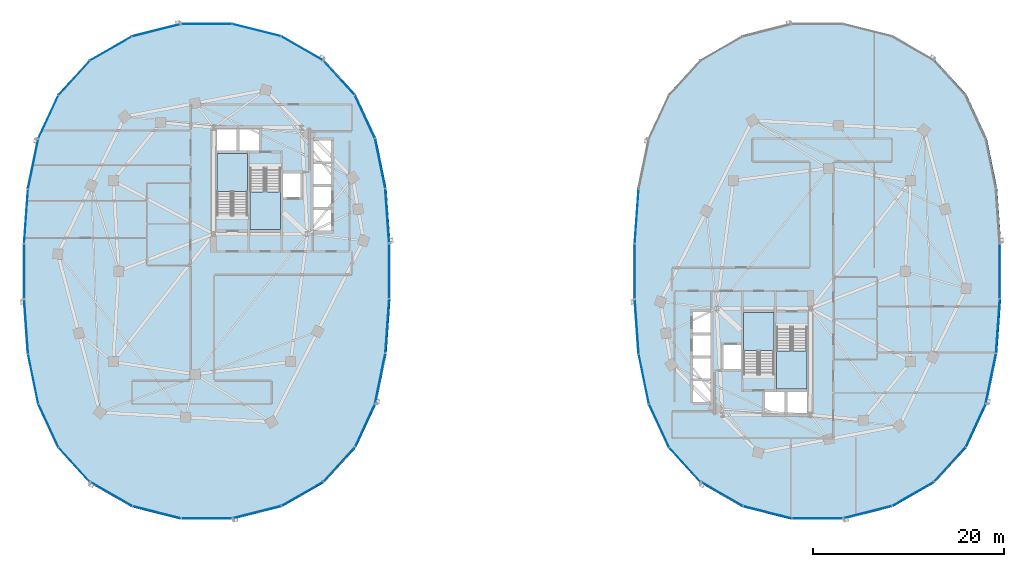
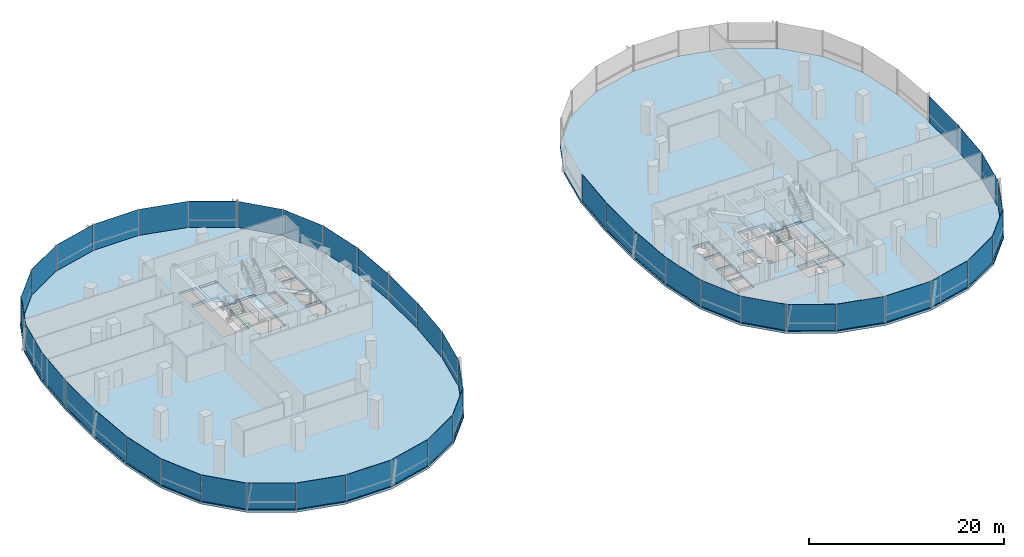
# One storey, part 9 of 21: 44 plates, 6 slabs, 11 elements without a shape of their own.
"""IFC4 building model written with IfcOpenShell, lengths in metres."""

from ifc_helpers import new_model, si_unit, direction, frame, origin, origin_2d, place, context, subcontext, project, spatial, polyline, rectangle, outline, extrude, material, layer, layer_set, type_object, element, aggregate, save


model = new_model("IFC4")

# Units and contexts
model_context = context("Model", 3, precision=1e-05, world=origin(), true_north=direction((0.0, 1.0)))
body_context = subcontext(model_context, "Body", "Model", "MODEL_VIEW")
ifc_project = project(units=[si_unit("LENGTHUNIT", "METRE"), si_unit("AREAUNIT", "SQUARE_METRE"), si_unit("VOLUMEUNIT", "CUBIC_METRE"), si_unit("PLANEANGLEUNIT", "RADIAN"), si_unit("MASSUNIT", "GRAM", prefix="KILO"), si_unit("THERMODYNAMICTEMPERATUREUNIT", "KELVIN"), si_unit("POWERUNIT", "WATT")], contexts=[model_context])

# Site, building, storey
site_placement = place(None, origin())
site = spatial("IfcSite", under=ifc_project, at=site_placement, CompositionType="ELEMENT")
building_placement = place(site_placement, origin())
building = spatial("IfcBuilding", under=site, at=building_placement, Name="Cundina Bronze Exchange", CompositionType="ELEMENT")
storey_placement = place(building_placement, frame((0.0, 0.0, 89.0)))
storey = spatial("IfcBuildingStorey", under=building, at=storey_placement, Name="L22", CompositionType="ELEMENT", Elevation=89.0)

# Curtain wall, plates
ifc_material_1 = material(Name="Anodised Bronze Aluminium 6063-T6", Category="aluminium")
curtain_wall_type = type_object("IfcCurtainWallType", Name="CWS-TRD-MID", PredefinedType="NOTDEFINED", material=ifc_material_1)
curtain_wall_1_placement = place(storey_placement, origin())
curtain_wall_1 = element("IfcCurtainWall", 1, at=curtain_wall_1_placement, inside=storey, type_object=curtain_wall_type, Name="L22 CW-03 Curtain Wall Run CWR-L22-W1", PredefinedType="NOTDEFINED")
ifc_material_2 = material(Name="Heat-Strengthened Solar-Control Bronze Safety Glass 28mm", Category="glass")
ifc_layer_1 = layer(ifc_material_2, 0.028076171875, Name="Heat-Strengthened Solar-Control Bronze Safety Glass 28mm", Category="glass")
ifc_layer_set_1 = layer_set([ifc_layer_1], Name="Heat-Strengthened Solar-Control Bronze Safety Glass 28mm")
plate_type_1 = type_object("IfcPlateType", Name="PLT-GLZ-VIS28", PredefinedType="CURTAIN_PANEL", material=ifc_layer_set_1)
plate_1_placement = place(storey_placement, frame((-13.0732421875, 5.783935546875, 0.02001953125), z_axis=(0.0, 0.0, 1.0), x_axis=(-0.070278787473, 0.997527389113, 0.0)))
plate_1 = element("IfcPlate", 2, at=plate_1_placement, type_object=plate_type_1, Name="CW-03 Glazed Panel 1", PredefinedType="CURTAIN_PANEL", context=body_context, shape_type="SweptSolid", body=[
    extrude(rectangle(XDim=5.644287109375, YDim=0.028076171875, at=origin_2d()), origin(), (0.0, 0.0, 1.0), 3.260009765625),
])
plate_2_placement = place(storey_placement, frame((-13.81591796875, 11.269775390625, 0.02001953125), z_axis=(0.0, 0.0, 1.0), x_axis=(-0.201419845156, 0.979505000486, 0.0)))
plate_2 = element("IfcPlate", 3, at=plate_2_placement, type_object=plate_type_1, Name="CW-03 Glazed Panel 2", PredefinedType="CURTAIN_PANEL", context=body_context, shape_type="SweptSolid", body=[
    extrude(rectangle(XDim=5.306640625, YDim=0.028076171875, at=origin_2d()), origin(), (0.0, 0.0, 1.0), 3.260009765625),
])
plate_3_placement = place(storey_placement, frame((-18.1259765625, 20.267333984375, 0.02001953125), z_axis=(0.0, 0.0, 1.0), x_axis=(-0.674276610219, 0.73847887777, 0.0)))
plate_3 = element("IfcPlate", 4, at=plate_3_placement, type_object=plate_type_1, Name="CW-03 Glazed Panel 4", PredefinedType="CURTAIN_PANEL", context=body_context, shape_type="SweptSolid", body=[
    extrude(rectangle(XDim=4.86328125, YDim=0.028076171875, at=origin_2d()), origin(), (0.0, 0.0, 1.0), 3.260009765625),
])
plate_4_placement = place(storey_placement, frame((-21.980712890625, 23.34423828125, 0.02001953125), z_axis=(0.0, 0.0, 1.0), x_axis=(-0.867105478933, 0.498124571171, 0.0)))
plate_4 = element("IfcPlate", 5, at=plate_4_placement, type_object=plate_type_1, Name="CW-03 Glazed Panel 5", PredefinedType="CURTAIN_PANEL", context=body_context, shape_type="SweptSolid", body=[
    extrude(rectangle(XDim=5.021240234375, YDim=0.028076171875, at=origin_2d()), origin(), (0.0, 0.0, 1.0), 3.260009765625),
])
plate_5_placement = place(storey_placement, frame((-26.744384765625, 25.256591796875, 0.02001953125), z_axis=(0.0, 0.0, 1.0), x_axis=(-0.969488149345, 0.245138182011, 0.0)))
plate_5 = element("IfcPlate", 6, at=plate_5_placement, type_object=plate_type_1, Name="CW-03 Glazed Panel 6", PredefinedType="CURTAIN_PANEL", context=body_context, shape_type="SweptSolid", body=[
    extrude(rectangle(XDim=5.2333984375, YDim=0.028076171875, at=origin_2d()), origin(), (0.0, 0.0, 1.0), 3.260009765625),
])
plate_6_placement = place(storey_placement, frame((-32.0, 25.905029296875, 0.02001953125), z_axis=(0.0, 0.0, 1.0), x_axis=(-1.0, 0.0, 0.0)))
plate_6 = element("IfcPlate", 7, at=plate_6_placement, type_object=plate_type_1, Name="CW-03 Glazed Panel 7", PredefinedType="CURTAIN_PANEL", context=body_context, shape_type="SweptSolid", body=[
    extrude(rectangle(XDim=5.323974609375, YDim=0.028076171875, at=origin_2d()), origin(), (0.0, 0.0, 1.0), 3.260009765625),
])

curtain_wall_2_placement = place(storey_placement, origin())
curtain_wall_2 = element("IfcCurtainWall", 8, at=curtain_wall_2_placement, inside=storey, type_object=curtain_wall_type, Name="L22 CW-03 Curtain Wall Run CWR-L22-W2", PredefinedType="NOTDEFINED")
plate_7_placement = place(storey_placement, frame((-37.255615234375, 25.256591796875, 0.02001953125), z_axis=(0.0, 0.0, 1.0), x_axis=(-0.969488149345, -0.245138182011, 0.0)))
plate_7 = element("IfcPlate", 9, at=plate_7_placement, type_object=plate_type_1, Name="CW-03 Glazed Panel 1", PredefinedType="CURTAIN_PANEL", context=body_context, shape_type="SweptSolid", body=[
    extrude(rectangle(XDim=5.2333984375, YDim=0.028076171875, at=origin_2d()), origin(), (0.0, 0.0, 1.0), 3.260009765625),
])
plate_8_placement = place(storey_placement, frame((-45.8740234375, 20.267333984375, 0.02001953125), z_axis=(0.0, 0.0, 1.0), x_axis=(-0.674276610219, -0.73847887777, 0.0)))
plate_8 = element("IfcPlate", 10, at=plate_8_placement, type_object=plate_type_1, Name="CW-03 Glazed Panel 3", PredefinedType="CURTAIN_PANEL", context=body_context, shape_type="SweptSolid", body=[
    extrude(rectangle(XDim=4.86328125, YDim=0.028076171875, at=origin_2d()), origin(), (0.0, 0.0, 1.0), 3.260009765625),
])
plate_9_placement = place(storey_placement, frame((-48.586181640625, 16.177734375, 0.02001953125), z_axis=(0.0, 0.0, 1.0), x_axis=(-0.42084583328, -0.907132175932, 0.0)))
plate_9 = element("IfcPlate", 11, at=plate_9_placement, type_object=plate_type_1, Name="CW-03 Glazed Panel 4", PredefinedType="CURTAIN_PANEL", context=body_context, shape_type="SweptSolid", body=[
    extrude(rectangle(XDim=4.966552734375, YDim=0.028076171875, at=origin_2d()), origin(), (0.0, 0.0, 1.0), 3.260009765625),
])
plate_10_placement = place(storey_placement, frame((-50.18408203125, 11.269775390625, 0.02001953125), z_axis=(0.0, 0.0, 1.0), x_axis=(-0.201419845156, -0.979505000486, 0.0)))
plate_10 = element("IfcPlate", 12, at=plate_10_placement, type_object=plate_type_1, Name="CW-03 Glazed Panel 5", PredefinedType="CURTAIN_PANEL", context=body_context, shape_type="SweptSolid", body=[
    extrude(rectangle(XDim=5.306640625, YDim=0.028076171875, at=origin_2d()), origin(), (0.0, 0.0, 1.0), 3.260009765625),
])
plate_11_placement = place(storey_placement, frame((-50.9267578125, 5.783935546875, 0.02001953125), z_axis=(0.0, 0.0, 1.0), x_axis=(-0.070278787473, -0.997527389113, 0.0)))
plate_11 = element("IfcPlate", 13, at=plate_11_placement, type_object=plate_type_1, Name="CW-03 Glazed Panel 6", PredefinedType="CURTAIN_PANEL", context=body_context, shape_type="SweptSolid", body=[
    extrude(rectangle(XDim=5.644287109375, YDim=0.028076171875, at=origin_2d()), origin(), (0.0, 0.0, 1.0), 3.260009765625),
])

curtain_wall_3_placement = place(storey_placement, origin())
curtain_wall_3 = element("IfcCurtainWall", 14, at=curtain_wall_3_placement, inside=storey, type_object=curtain_wall_type, Name="L22 CW-03 Curtain Wall Run CWR-L22-W3", PredefinedType="NOTDEFINED")
plate_12_placement = place(storey_placement, frame((-50.18408203125, -11.269775390625, 0.02001953125), z_axis=(0.0, 0.0, 1.0), x_axis=(0.201419845156, -0.979505000486, 0.0)))
plate_12 = element("IfcPlate", 15, at=plate_12_placement, type_object=plate_type_1, Name="CW-03 Glazed Panel 2", PredefinedType="CURTAIN_PANEL", context=body_context, shape_type="SweptSolid", body=[
    extrude(rectangle(XDim=5.306640625, YDim=0.028076171875, at=origin_2d()), origin(), (0.0, 0.0, 1.0), 3.260009765625),
])
plate_13_placement = place(storey_placement, frame((-48.586181640625, -16.177734375, 0.02001953125), z_axis=(0.0, 0.0, 1.0), x_axis=(0.42084583328, -0.907132175932, 0.0)))
plate_13 = element("IfcPlate", 16, at=plate_13_placement, type_object=plate_type_1, Name="CW-03 Glazed Panel 3", PredefinedType="CURTAIN_PANEL", context=body_context, shape_type="SweptSolid", body=[
    extrude(rectangle(XDim=4.966552734375, YDim=0.028076171875, at=origin_2d()), origin(), (0.0, 0.0, 1.0), 3.260009765625),
])
plate_14_placement = place(storey_placement, frame((-45.8740234375, -20.267333984375, 0.02001953125), z_axis=(0.0, 0.0, 1.0), x_axis=(0.674276610219, -0.73847887777, 0.0)))
plate_14 = element("IfcPlate", 17, at=plate_14_placement, type_object=plate_type_1, Name="CW-03 Glazed Panel 4", PredefinedType="CURTAIN_PANEL", context=body_context, shape_type="SweptSolid", body=[
    extrude(rectangle(XDim=4.86328125, YDim=0.028076171875, at=origin_2d()), origin(), (0.0, 0.0, 1.0), 3.260009765625),
])
plate_15_placement = place(storey_placement, frame((-42.019287109375, -23.34423828125, 0.02001953125), z_axis=(0.0, 0.0, 1.0), x_axis=(0.867105478933, -0.498124571171, 0.0)))
plate_15 = element("IfcPlate", 18, at=plate_15_placement, type_object=plate_type_1, Name="CW-03 Glazed Panel 5", PredefinedType="CURTAIN_PANEL", context=body_context, shape_type="SweptSolid", body=[
    extrude(rectangle(XDim=5.021240234375, YDim=0.028076171875, at=origin_2d()), origin(), (0.0, 0.0, 1.0), 3.260009765625),
])
plate_16_placement = place(storey_placement, frame((-32.0, -25.905029296875, 0.02001953125), z_axis=(0.0, 0.0, 1.0), x_axis=(1.0, 0.0, 0.0)))
plate_16 = element("IfcPlate", 19, at=plate_16_placement, type_object=plate_type_1, Name="CW-03 Glazed Panel 7", PredefinedType="CURTAIN_PANEL", context=body_context, shape_type="SweptSolid", body=[
    extrude(rectangle(XDim=5.323974609375, YDim=0.028076171875, at=origin_2d()), origin(), (0.0, 0.0, 1.0), 3.260009765625),
])

curtain_wall_4_placement = place(storey_placement, origin())
curtain_wall_4 = element("IfcCurtainWall", 20, at=curtain_wall_4_placement, inside=storey, type_object=curtain_wall_type, Name="L22 CW-03 Curtain Wall Run CWR-L22-W4", PredefinedType="NOTDEFINED")
plate_17_placement = place(storey_placement, frame((-26.744384765625, -25.256591796875, 0.02001953125), z_axis=(0.0, 0.0, 1.0), x_axis=(0.969488149345, 0.245138182011, 0.0)))
plate_17 = element("IfcPlate", 21, at=plate_17_placement, type_object=plate_type_1, Name="CW-03 Glazed Panel 1", PredefinedType="CURTAIN_PANEL", context=body_context, shape_type="SweptSolid", body=[
    extrude(rectangle(XDim=5.2333984375, YDim=0.028076171875, at=origin_2d()), origin(), (0.0, 0.0, 1.0), 3.260009765625),
])
plate_18_placement = place(storey_placement, frame((-21.980712890625, -23.34423828125, 0.02001953125), z_axis=(0.0, 0.0, 1.0), x_axis=(0.867105478933, 0.498124571171, 0.0)))
plate_18 = element("IfcPlate", 22, at=plate_18_placement, type_object=plate_type_1, Name="CW-03 Glazed Panel 2", PredefinedType="CURTAIN_PANEL", context=body_context, shape_type="SweptSolid", body=[
    extrude(rectangle(XDim=5.021240234375, YDim=0.028076171875, at=origin_2d()), origin(), (0.0, 0.0, 1.0), 3.260009765625),
])
plate_19_placement = place(storey_placement, frame((-18.1259765625, -20.267333984375, 0.02001953125), z_axis=(0.0, 0.0, 1.0), x_axis=(0.674276610219, 0.73847887777, 0.0)))
plate_19 = element("IfcPlate", 23, at=plate_19_placement, type_object=plate_type_1, Name="CW-03 Glazed Panel 3", PredefinedType="CURTAIN_PANEL", context=body_context, shape_type="SweptSolid", body=[
    extrude(rectangle(XDim=4.86328125, YDim=0.028076171875, at=origin_2d()), origin(), (0.0, 0.0, 1.0), 3.260009765625),
])
plate_20_placement = place(storey_placement, frame((-15.413818359375, -16.177734375, 0.02001953125), z_axis=(0.0, 0.0, 1.0), x_axis=(0.42084583328, 0.907132175932, 0.0)))
plate_20 = element("IfcPlate", 24, at=plate_20_placement, type_object=plate_type_1, Name="CW-03 Glazed Panel 4", PredefinedType="CURTAIN_PANEL", context=body_context, shape_type="SweptSolid", body=[
    extrude(rectangle(XDim=4.966552734375, YDim=0.028076171875, at=origin_2d()), origin(), (0.0, 0.0, 1.0), 3.260009765625),
])
plate_21_placement = place(storey_placement, frame((-13.0732421875, -5.783935546875, 0.02001953125), z_axis=(0.0, 0.0, 1.0), x_axis=(0.070278787473, 0.997527389113, 0.0)))
plate_21 = element("IfcPlate", 25, at=plate_21_placement, type_object=plate_type_1, Name="CW-03 Glazed Panel 6", PredefinedType="CURTAIN_PANEL", context=body_context, shape_type="SweptSolid", body=[
    extrude(rectangle(XDim=5.644287109375, YDim=0.028076171875, at=origin_2d()), origin(), (0.0, 0.0, 1.0), 3.260009765625),
])
plate_22_placement = place(storey_placement, frame((-12.8720703125, 0.0, 0.02001953125), z_axis=(0.0, 0.0, 1.0), x_axis=(0.0, 1.0, 0.0)))
plate_22 = element("IfcPlate", 26, at=plate_22_placement, type_object=plate_type_1, Name="CW-03 Glazed Panel 7", PredefinedType="CURTAIN_PANEL", context=body_context, shape_type="SweptSolid", body=[
    extrude(rectangle(XDim=5.77587890625, YDim=0.028076171875, at=origin_2d()), origin(), (0.0, 0.0, 1.0), 3.260009765625),
])

# Curtain wall, plate
curtain_wall_5_placement = place(storey_placement, origin())
curtain_wall_5 = element("IfcCurtainWall", 27, at=curtain_wall_5_placement, inside=storey, type_object=curtain_wall_type, Name="L22 CW-03 Curtain Wall Run CWR-L22-E2", PredefinedType="NOTDEFINED")
plate_23_placement = place(storey_placement, frame((13.0732421875, 5.783935546875, 0.02001953125), z_axis=(0.0, 0.0, 1.0), x_axis=(-0.070278787473, -0.997527389113, 0.0)))
plate_23 = element("IfcPlate", 28, at=plate_23_placement, type_object=plate_type_1, Name="CW-03 Glazed Panel 6", PredefinedType="CURTAIN_PANEL", context=body_context, shape_type="SweptSolid", body=[
    extrude(rectangle(XDim=5.644287109375, YDim=0.028076171875, at=origin_2d()), origin(), (0.0, 0.0, 1.0), 3.260009765625),
])

# Curtain wall, plates
curtain_wall_6_placement = place(storey_placement, origin())
curtain_wall_6 = element("IfcCurtainWall", 29, at=curtain_wall_6_placement, inside=storey, type_object=curtain_wall_type, Name="L22 CW-03 Curtain Wall Run CWR-L22-E3", PredefinedType="NOTDEFINED")
plate_24_placement = place(storey_placement, frame((13.81591796875, -11.269775390625, 0.02001953125), z_axis=(0.0, 0.0, 1.0), x_axis=(0.201419845156, -0.979505000486, 0.0)))
plate_24 = element("IfcPlate", 30, at=plate_24_placement, type_object=plate_type_1, Name="CW-03 Glazed Panel 2", PredefinedType="CURTAIN_PANEL", context=body_context, shape_type="SweptSolid", body=[
    extrude(rectangle(XDim=5.306640625, YDim=0.028076171875, at=origin_2d()), origin(), (0.0, 0.0, 1.0), 3.260009765625),
])
plate_25_placement = place(storey_placement, frame((15.413818359375, -16.177734375, 0.02001953125), z_axis=(0.0, 0.0, 1.0), x_axis=(0.42084583328, -0.907132175932, 0.0)))
plate_25 = element("IfcPlate", 31, at=plate_25_placement, type_object=plate_type_1, Name="CW-03 Glazed Panel 3", PredefinedType="CURTAIN_PANEL", context=body_context, shape_type="SweptSolid", body=[
    extrude(rectangle(XDim=4.966552734375, YDim=0.028076171875, at=origin_2d()), origin(), (0.0, 0.0, 1.0), 3.260009765625),
])
plate_26_placement = place(storey_placement, frame((18.1259765625, -20.267333984375, 0.02001953125), z_axis=(0.0, 0.0, 1.0), x_axis=(0.674276610219, -0.73847887777, 0.0)))
plate_26 = element("IfcPlate", 32, at=plate_26_placement, type_object=plate_type_1, Name="CW-03 Glazed Panel 4", PredefinedType="CURTAIN_PANEL", context=body_context, shape_type="SweptSolid", body=[
    extrude(rectangle(XDim=4.86328125, YDim=0.028076171875, at=origin_2d()), origin(), (0.0, 0.0, 1.0), 3.260009765625),
])
plate_27_placement = place(storey_placement, frame((21.980712890625, -23.34423828125, 0.02001953125), z_axis=(0.0, 0.0, 1.0), x_axis=(0.867105478933, -0.498124571171, 0.0)))
plate_27 = element("IfcPlate", 33, at=plate_27_placement, type_object=plate_type_1, Name="CW-03 Glazed Panel 5", PredefinedType="CURTAIN_PANEL", context=body_context, shape_type="SweptSolid", body=[
    extrude(rectangle(XDim=5.021240234375, YDim=0.028076171875, at=origin_2d()), origin(), (0.0, 0.0, 1.0), 3.260009765625),
])
plate_28_placement = place(storey_placement, frame((32.0, -25.905029296875, 0.02001953125), z_axis=(0.0, 0.0, 1.0), x_axis=(1.0, 0.0, 0.0)))
plate_28 = element("IfcPlate", 34, at=plate_28_placement, type_object=plate_type_1, Name="CW-03 Glazed Panel 7", PredefinedType="CURTAIN_PANEL", context=body_context, shape_type="SweptSolid", body=[
    extrude(rectangle(XDim=5.323974609375, YDim=0.028076171875, at=origin_2d()), origin(), (0.0, 0.0, 1.0), 3.260009765625),
])

curtain_wall_7_placement = place(storey_placement, origin())
curtain_wall_7 = element("IfcCurtainWall", 35, at=curtain_wall_7_placement, inside=storey, type_object=curtain_wall_type, Name="L22 CW-03 Curtain Wall Run CWR-L22-E4", PredefinedType="NOTDEFINED")
plate_29_placement = place(storey_placement, frame((37.255615234375, -25.256591796875, 0.02001953125), z_axis=(0.0, 0.0, 1.0), x_axis=(0.969488149345, 0.245138182011, 0.0)))
plate_29 = element("IfcPlate", 36, at=plate_29_placement, type_object=plate_type_1, Name="CW-03 Glazed Panel 1", PredefinedType="CURTAIN_PANEL", context=body_context, shape_type="SweptSolid", body=[
    extrude(rectangle(XDim=5.2333984375, YDim=0.028076171875, at=origin_2d()), origin(), (0.0, 0.0, 1.0), 3.260009765625),
])
plate_30_placement = place(storey_placement, frame((42.019287109375, -23.34423828125, 0.02001953125), z_axis=(0.0, 0.0, 1.0), x_axis=(0.867105478933, 0.498124571171, 0.0)))
plate_30 = element("IfcPlate", 37, at=plate_30_placement, type_object=plate_type_1, Name="CW-03 Glazed Panel 2", PredefinedType="CURTAIN_PANEL", context=body_context, shape_type="SweptSolid", body=[
    extrude(rectangle(XDim=5.021240234375, YDim=0.028076171875, at=origin_2d()), origin(), (0.0, 0.0, 1.0), 3.260009765625),
])
plate_31_placement = place(storey_placement, frame((45.8740234375, -20.267333984375, 0.02001953125), z_axis=(0.0, 0.0, 1.0), x_axis=(0.674276610219, 0.73847887777, 0.0)))
plate_31 = element("IfcPlate", 38, at=plate_31_placement, type_object=plate_type_1, Name="CW-03 Glazed Panel 3", PredefinedType="CURTAIN_PANEL", context=body_context, shape_type="SweptSolid", body=[
    extrude(rectangle(XDim=4.86328125, YDim=0.028076171875, at=origin_2d()), origin(), (0.0, 0.0, 1.0), 3.260009765625),
])
plate_32_placement = place(storey_placement, frame((48.586181640625, -16.177734375, 0.02001953125), z_axis=(0.0, 0.0, 1.0), x_axis=(0.42084583328, 0.907132175932, 0.0)))
plate_32 = element("IfcPlate", 39, at=plate_32_placement, type_object=plate_type_1, Name="CW-03 Glazed Panel 4", PredefinedType="CURTAIN_PANEL", context=body_context, shape_type="SweptSolid", body=[
    extrude(rectangle(XDim=4.966552734375, YDim=0.028076171875, at=origin_2d()), origin(), (0.0, 0.0, 1.0), 3.260009765625),
])
plate_33_placement = place(storey_placement, frame((50.9267578125, -5.783935546875, 0.02001953125), z_axis=(0.0, 0.0, 1.0), x_axis=(0.070278787473, 0.997527389113, 0.0)))
plate_33 = element("IfcPlate", 40, at=plate_33_placement, type_object=plate_type_1, Name="CW-03 Glazed Panel 6", PredefinedType="CURTAIN_PANEL", context=body_context, shape_type="SweptSolid", body=[
    extrude(rectangle(XDim=5.644287109375, YDim=0.028076171875, at=origin_2d()), origin(), (0.0, 0.0, 1.0), 3.260009765625),
])
plate_34_placement = place(storey_placement, frame((51.1279296875, 0.0, 0.02001953125), z_axis=(0.0, 0.0, 1.0), x_axis=(0.0, 1.0, 0.0)))
plate_34 = element("IfcPlate", 41, at=plate_34_placement, type_object=plate_type_1, Name="CW-03 Glazed Panel 7", PredefinedType="CURTAIN_PANEL", context=body_context, shape_type="SweptSolid", body=[
    extrude(rectangle(XDim=5.77587890625, YDim=0.028076171875, at=origin_2d()), origin(), (0.0, 0.0, 1.0), 3.260009765625),
])

# Plate
ifc_material_3 = material(Name="Dark Bronze Spandrel Glass Panel 32mm", Category="glass")
ifc_layer_2 = layer(ifc_material_3, 0.031982421875, Name="Dark Bronze Spandrel Glass Panel 32mm", Category="glass")
ifc_layer_set_2 = layer_set([ifc_layer_2], Name="Dark Bronze Spandrel Glass Panel 32mm")
plate_type_2 = type_object("IfcPlateType", Name="PLT-SPN-BRZ32", PredefinedType="CURTAIN_PANEL", material=ifc_layer_set_2)
plate_35_placement = place(storey_placement, frame((-15.413818359375, 16.177734375, 0.02001953125), z_axis=(0.0, 0.0, 1.0), x_axis=(-0.42084583328, 0.907132175932, 0.0)))
plate_35 = element("IfcPlate", 42, at=plate_35_placement, type_object=plate_type_2, Name="CW-03 Glazed Panel 3", PredefinedType="CURTAIN_PANEL", context=body_context, shape_type="SweptSolid", body=[
    extrude(rectangle(XDim=4.966552734375, YDim=0.031982421875, at=origin_2d()), origin(), (0.0, 0.0, 1.0), 3.260009765625),
])

aggregate(curtain_wall_1, [plate_1, plate_2, plate_35, plate_3, plate_4, plate_5, plate_6])

plate_36_placement = place(storey_placement, frame((-42.019287109375, 23.34423828125, 0.02001953125), z_axis=(0.0, 0.0, 1.0), x_axis=(-0.867105478933, -0.498124571171, 0.0)))
plate_36 = element("IfcPlate", 43, at=plate_36_placement, type_object=plate_type_2, Name="CW-03 Glazed Panel 2", PredefinedType="CURTAIN_PANEL", context=body_context, shape_type="SweptSolid", body=[
    extrude(rectangle(XDim=5.021240234375, YDim=0.031982421875, at=origin_2d()), origin(), (0.0, 0.0, 1.0), 3.260009765625),
])

plate_37_placement = place(storey_placement, frame((-51.1279296875, 0.0, 0.02001953125), z_axis=(0.0, 0.0, 1.0), x_axis=(0.0, -1.0, 0.0)))
plate_37 = element("IfcPlate", 44, at=plate_37_placement, type_object=plate_type_2, Name="CW-03 Glazed Panel 7", PredefinedType="CURTAIN_PANEL", context=body_context, shape_type="SweptSolid", body=[
    extrude(rectangle(XDim=5.77587890625, YDim=0.031982421875, at=origin_2d()), origin(), (0.0, 0.0, 1.0), 3.260009765625),
])

aggregate(curtain_wall_2, [plate_7, plate_36, plate_8, plate_9, plate_10, plate_11, plate_37])

plate_38_placement = place(storey_placement, frame((-50.9267578125, -5.783935546875, 0.02001953125), z_axis=(0.0, 0.0, 1.0), x_axis=(0.070278787473, -0.997527389113, 0.0)))
plate_38 = element("IfcPlate", 45, at=plate_38_placement, type_object=plate_type_2, Name="CW-03 Glazed Panel 1", PredefinedType="CURTAIN_PANEL", context=body_context, shape_type="SweptSolid", body=[
    extrude(rectangle(XDim=5.644287109375, YDim=0.031982421875, at=origin_2d()), origin(), (0.0, 0.0, 1.0), 3.260009765625),
])

plate_39_placement = place(storey_placement, frame((-37.255615234375, -25.256591796875, 0.02001953125), z_axis=(0.0, 0.0, 1.0), x_axis=(0.969488149345, -0.245138182011, 0.0)))
plate_39 = element("IfcPlate", 46, at=plate_39_placement, type_object=plate_type_2, Name="CW-03 Glazed Panel 6", PredefinedType="CURTAIN_PANEL", context=body_context, shape_type="SweptSolid", body=[
    extrude(rectangle(XDim=5.2333984375, YDim=0.031982421875, at=origin_2d()), origin(), (0.0, 0.0, 1.0), 3.260009765625),
])

aggregate(curtain_wall_3, [plate_38, plate_12, plate_13, plate_14, plate_15, plate_39, plate_16])

plate_40_placement = place(storey_placement, frame((-13.81591796875, -11.269775390625, 0.02001953125), z_axis=(0.0, 0.0, 1.0), x_axis=(0.201419845156, 0.979505000486, 0.0)))
plate_40 = element("IfcPlate", 47, at=plate_40_placement, type_object=plate_type_2, Name="CW-03 Glazed Panel 5", PredefinedType="CURTAIN_PANEL", context=body_context, shape_type="SweptSolid", body=[
    extrude(rectangle(XDim=5.306640625, YDim=0.031982421875, at=origin_2d()), origin(), (0.0, 0.0, 1.0), 3.260009765625),
])

aggregate(curtain_wall_4, [plate_17, plate_18, plate_19, plate_20, plate_40, plate_21, plate_22])

plate_41_placement = place(storey_placement, frame((12.8720703125, 0.0, 0.02001953125), z_axis=(0.0, 0.0, 1.0), x_axis=(0.0, -1.0, 0.0)))
plate_41 = element("IfcPlate", 48, at=plate_41_placement, type_object=plate_type_2, Name="CW-03 Glazed Panel 7", PredefinedType="CURTAIN_PANEL", context=body_context, shape_type="SweptSolid", body=[
    extrude(rectangle(XDim=5.77587890625, YDim=0.031982421875, at=origin_2d()), origin(), (0.0, 0.0, 1.0), 3.260009765625),
])

aggregate(curtain_wall_5, [plate_23, plate_41])

plate_42_placement = place(storey_placement, frame((13.0732421875, -5.783935546875, 0.02001953125), z_axis=(0.0, 0.0, 1.0), x_axis=(0.070278787473, -0.997527389113, 0.0)))
plate_42 = element("IfcPlate", 49, at=plate_42_placement, type_object=plate_type_2, Name="CW-03 Glazed Panel 1", PredefinedType="CURTAIN_PANEL", context=body_context, shape_type="SweptSolid", body=[
    extrude(rectangle(XDim=5.644287109375, YDim=0.031982421875, at=origin_2d()), origin(), (0.0, 0.0, 1.0), 3.260009765625),
])

plate_43_placement = place(storey_placement, frame((26.744384765625, -25.256591796875, 0.02001953125), z_axis=(0.0, 0.0, 1.0), x_axis=(0.969488149345, -0.245138182011, 0.0)))
plate_43 = element("IfcPlate", 50, at=plate_43_placement, type_object=plate_type_2, Name="CW-03 Glazed Panel 6", PredefinedType="CURTAIN_PANEL", context=body_context, shape_type="SweptSolid", body=[
    extrude(rectangle(XDim=5.2333984375, YDim=0.031982421875, at=origin_2d()), origin(), (0.0, 0.0, 1.0), 3.260009765625),
])

aggregate(curtain_wall_6, [plate_42, plate_24, plate_25, plate_26, plate_27, plate_43, plate_28])

plate_44_placement = place(storey_placement, frame((50.18408203125, -11.269775390625, 0.02001953125), z_axis=(0.0, 0.0, 1.0), x_axis=(0.201419845156, 0.979505000486, 0.0)))
plate_44 = element("IfcPlate", 51, at=plate_44_placement, type_object=plate_type_2, Name="CW-03 Glazed Panel 5", PredefinedType="CURTAIN_PANEL", context=body_context, shape_type="SweptSolid", body=[
    extrude(rectangle(XDim=5.306640625, YDim=0.031982421875, at=origin_2d()), origin(), (0.0, 0.0, 1.0), 3.260009765625),
])

aggregate(curtain_wall_7, [plate_29, plate_30, plate_31, plate_32, plate_44, plate_33, plate_34])

# Stair, slab
ifc_material_4 = material(Name="Concrete C40/50", Category="concrete")
stair_type = type_object("IfcStairType", Name="STR-OFF-360", PredefinedType="HALF_TURN_STAIR", material=ifc_material_4)
stair_1_placement = place(storey_placement, origin())
stair_1 = element("IfcStair", 52, at=stair_1_placement, inside=storey, type_object=stair_type, Name="L22 Smokeproof Exit Stair W1", PredefinedType="HALF_TURN_STAIR")
ifc_layer_3 = layer(ifc_material_4, 0.199951171875, Name="Concrete C40/50", Category="concrete")
ifc_layer_set_3 = layer_set([ifc_layer_3], Name="Concrete C40/50")
slab_type_1 = type_object("IfcSlabType", Name="SLB-LND-200", PredefinedType="LANDING", material=ifc_layer_set_3)
slab_1_placement = place(storey_placement, frame((0.0, 0.0, 1.60009765625)))
slab_1 = element("IfcSlab", 53, at=slab_1_placement, type_object=slab_type_1, Name="ST-W1 landing 1", PredefinedType="LANDING", context=body_context, shape_type="SweptSolid", body=[
    extrude(outline(polyline([(-27.739990234375, 8.3701171875), (-27.739990234375, 12.35009765625), (-30.89990234375, 12.35009765625), (-30.89990234375, 8.3701171875), (-27.739990234375, 8.3701171875)])), origin(), (0.0, 0.0, 1.0), 0.199951171875),
])
aggregate(stair_1, [slab_1])

stair_2_placement = place(storey_placement, origin())
stair_2 = element("IfcStair", 54, at=stair_2_placement, inside=storey, type_object=stair_type, Name="L22 Smokeproof Exit Stair W2", PredefinedType="HALF_TURN_STAIR")
slab_2_placement = place(storey_placement, frame((0.0, 0.0, 1.60009765625)))
slab_2 = element("IfcSlab", 55, at=slab_2_placement, type_object=slab_type_1, Name="ST-W2 landing 1", PredefinedType="LANDING", context=body_context, shape_type="SweptSolid", body=[
    extrude(outline(polyline([(-27.43994140625, 8.330078125), (-27.43994140625, 4.35009765625), (-24.280029296875, 4.35009765625), (-24.280029296875, 8.330078125), (-27.43994140625, 8.330078125)])), origin(), (0.0, 0.0, 1.0), 0.199951171875),
])
aggregate(stair_2, [slab_2])

stair_3_placement = place(storey_placement, origin())
stair_3 = element("IfcStair", 56, at=stair_3_placement, inside=storey, type_object=stair_type, Name="L22 Smokeproof Exit Stair E1", PredefinedType="HALF_TURN_STAIR")
slab_3_placement = place(storey_placement, frame((0.0, 0.0, 1.60009765625)))
slab_3 = element("IfcSlab", 57, at=slab_3_placement, type_object=slab_type_1, Name="ST-E1 landing 1", PredefinedType="LANDING", context=body_context, shape_type="SweptSolid", body=[
    extrude(outline(polyline([(27.739990234375, -8.3701171875), (27.739990234375, -12.35009765625), (30.89990234375, -12.35009765625), (30.89990234375, -8.3701171875), (27.739990234375, -8.3701171875)])), origin(), (0.0, 0.0, 1.0), 0.199951171875),
])
aggregate(stair_3, [slab_3])

stair_4_placement = place(storey_placement, origin())
stair_4 = element("IfcStair", 58, at=stair_4_placement, inside=storey, type_object=stair_type, Name="L22 Smokeproof Exit Stair E2", PredefinedType="HALF_TURN_STAIR")
slab_4_placement = place(storey_placement, frame((0.0, 0.0, 1.60009765625)))
slab_4 = element("IfcSlab", 59, at=slab_4_placement, type_object=slab_type_1, Name="ST-E2 landing 1", PredefinedType="LANDING", context=body_context, shape_type="SweptSolid", body=[
    extrude(outline(polyline([(27.43994140625, -8.330078125), (27.43994140625, -4.35009765625), (24.280029296875, -4.35009765625), (24.280029296875, -8.330078125), (27.43994140625, -8.330078125)])), origin(), (0.0, 0.0, 1.0), 0.199951171875),
])
aggregate(stair_4, [slab_4])

# Slabs
ifc_material_5 = material(Name="Concrete C50/60", Category="concrete")
ifc_layer_4 = layer(ifc_material_5, 0.300048828125, Name="Concrete C50/60", Category="concrete")
ifc_layer_set_4 = layer_set([ifc_layer_4], Name="Concrete C50/60")
slab_type_2 = type_object("IfcSlabType", Name="SLB-TRD-300", PredefinedType="FLOOR", material=ifc_layer_set_4)
slab_5_placement = place(storey_placement, frame((0.0, 0.0, -0.300048828125)))
element("IfcSlab", 60, at=slab_5_placement, inside=storey, type_object=slab_type_2, Name="L22 Leg W Structural Floor Slab", PredefinedType="FLOOR", context=body_context, shape_type="SweptSolid", body=[
    extrude(outline(polyline([(-12.741943359375, 2.93310546875), (-13.14501953125, 8.653076171875), (-14.23193359375, 13.93896484375), (-16.360107421875, 18.52587890625), (-19.699951171875, 22.18408203125), (-24.132080078125, 24.72998046875), (-29.29296875, 26.034912109375), (-34.70703125, 26.034912109375), (-39.867919921875, 24.72998046875), (-44.300048828125, 22.18408203125), (-47.639892578125, 18.52587890625), (-49.76806640625, 13.93896484375), (-50.85498046875, 8.653076171875), (-51.258056640625, 2.93310546875), (-51.258056640625, -2.93310546875), (-50.85498046875, -8.653076171875), (-49.76806640625, -13.93896484375), (-47.639892578125, -18.52587890625), (-44.300048828125, -22.18408203125), (-39.867919921875, -24.72998046875), (-34.70703125, -26.034912109375), (-29.29296875, -26.034912109375), (-24.132080078125, -24.72998046875), (-19.699951171875, -22.18408203125), (-16.360107421875, -18.52587890625), (-14.23193359375, -13.93896484375), (-13.14501953125, -8.653076171875), (-12.741943359375, -2.93310546875), (-12.741943359375, 2.93310546875)]), holes=[polyline([(-27.739990234375, 5.85009765625), (-27.739990234375, 12.35009765625), (-30.89990234375, 12.35009765625), (-30.89990234375, 5.85009765625), (-27.739990234375, 5.85009765625)]), polyline([(-27.43994140625, 10.85009765625), (-27.43994140625, 4.35009765625), (-24.280029296875, 4.35009765625), (-24.280029296875, 10.85009765625), (-27.43994140625, 10.85009765625)]), polyline([(-23.97998046875, 10.25), (-22.179931640625, 10.25), (-22.179931640625, 7.75), (-23.97998046875, 7.75), (-23.97998046875, 10.25)]), polyline([(-30.89990234375, 14.949951171875), (-28.85009765625, 14.949951171875), (-28.85009765625, 12.64990234375), (-30.89990234375, 12.64990234375), (-30.89990234375, 14.949951171875)]), polyline([(-28.550048828125, 14.949951171875), (-26.5, 14.949951171875), (-26.5, 12.64990234375), (-28.550048828125, 12.64990234375), (-28.550048828125, 14.949951171875)]), polyline([(-20.800048828125, 13.699951171875), (-18.949951171875, 13.699951171875), (-18.949951171875, 11.449951171875), (-20.800048828125, 11.449951171875), (-20.800048828125, 13.699951171875)]), polyline([(-20.800048828125, 11.300048828125), (-18.949951171875, 11.300048828125), (-18.949951171875, 9.050048828125), (-20.800048828125, 9.050048828125), (-20.800048828125, 11.300048828125)]), polyline([(-20.800048828125, 8.89990234375), (-18.949951171875, 8.89990234375), (-18.949951171875, 6.64990234375), (-20.800048828125, 6.64990234375), (-20.800048828125, 8.89990234375)]), polyline([(-20.800048828125, 6.5), (-18.949951171875, 6.5), (-18.949951171875, 4.25), (-20.800048828125, 4.25), (-20.800048828125, 6.5)])]), origin(), (0.0, 0.0, 1.0), 0.300048828125),
])
slab_6_placement = place(storey_placement, frame((0.0, 0.0, -0.300048828125)))
element("IfcSlab", 61, at=slab_6_placement, inside=storey, type_object=slab_type_2, Name="L22 Leg E Structural Floor Slab", PredefinedType="FLOOR", context=body_context, shape_type="SweptSolid", body=[
    extrude(outline(polyline([(51.258056640625, 2.93310546875), (50.85498046875, 8.653076171875), (49.76806640625, 13.93896484375), (47.639892578125, 18.52587890625), (44.300048828125, 22.18408203125), (39.867919921875, 24.72998046875), (34.70703125, 26.034912109375), (29.29296875, 26.034912109375), (24.132080078125, 24.72998046875), (19.699951171875, 22.18408203125), (16.360107421875, 18.52587890625), (14.23193359375, 13.93896484375), (13.14501953125, 8.653076171875), (12.741943359375, 2.93310546875), (12.741943359375, -2.93310546875), (13.14501953125, -8.653076171875), (14.23193359375, -13.93896484375), (16.360107421875, -18.52587890625), (19.699951171875, -22.18408203125), (24.132080078125, -24.72998046875), (29.29296875, -26.034912109375), (34.70703125, -26.034912109375), (39.867919921875, -24.72998046875), (44.300048828125, -22.18408203125), (47.639892578125, -18.52587890625), (49.76806640625, -13.93896484375), (50.85498046875, -8.653076171875), (51.258056640625, -2.93310546875), (51.258056640625, 2.93310546875)]), holes=[polyline([(27.739990234375, -5.85009765625), (27.739990234375, -12.35009765625), (30.89990234375, -12.35009765625), (30.89990234375, -5.85009765625), (27.739990234375, -5.85009765625)]), polyline([(27.43994140625, -10.85009765625), (27.43994140625, -4.35009765625), (24.280029296875, -4.35009765625), (24.280029296875, -10.85009765625), (27.43994140625, -10.85009765625)]), polyline([(22.179931640625, -7.75), (23.97998046875, -7.75), (23.97998046875, -10.25), (22.179931640625, -10.25), (22.179931640625, -7.75)]), polyline([(28.85009765625, -12.64990234375), (30.89990234375, -12.64990234375), (30.89990234375, -14.949951171875), (28.85009765625, -14.949951171875), (28.85009765625, -12.64990234375)]), polyline([(26.5, -12.64990234375), (28.550048828125, -12.64990234375), (28.550048828125, -14.949951171875), (26.5, -14.949951171875), (26.5, -12.64990234375)]), polyline([(18.949951171875, -11.449951171875), (20.800048828125, -11.449951171875), (20.800048828125, -13.699951171875), (18.949951171875, -13.699951171875), (18.949951171875, -11.449951171875)]), polyline([(18.949951171875, -9.050048828125), (20.800048828125, -9.050048828125), (20.800048828125, -11.300048828125), (18.949951171875, -11.300048828125), (18.949951171875, -9.050048828125)]), polyline([(18.949951171875, -6.64990234375), (20.800048828125, -6.64990234375), (20.800048828125, -8.89990234375), (18.949951171875, -8.89990234375), (18.949951171875, -6.64990234375)]), polyline([(18.949951171875, -4.25), (20.800048828125, -4.25), (20.800048828125, -6.5), (18.949951171875, -6.5), (18.949951171875, -4.25)])]), origin(), (0.0, 0.0, 1.0), 0.300048828125),
])

save(model, "model.ifc")
